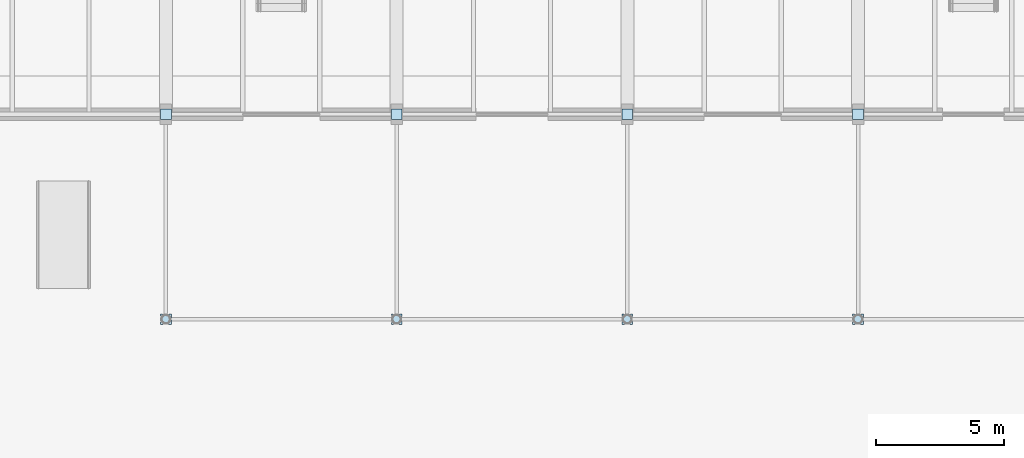
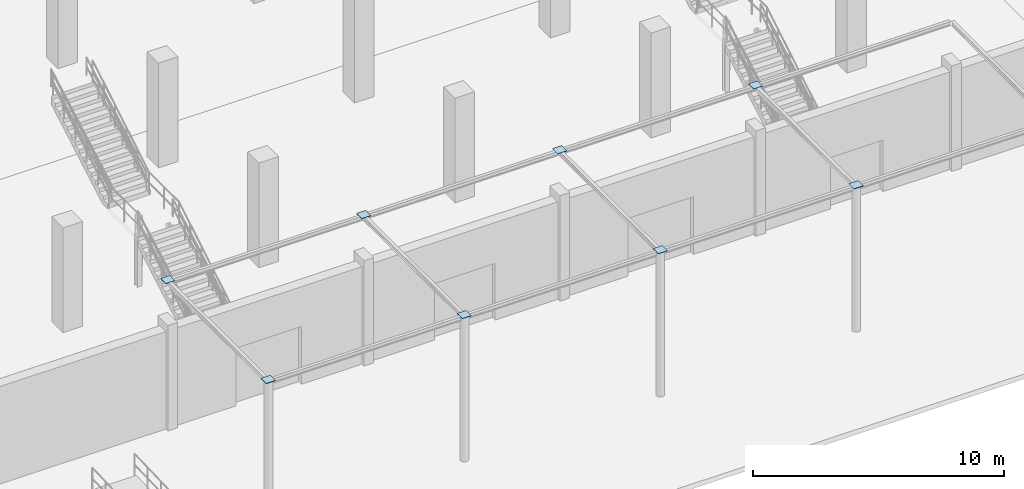
# One storey, part 79 of 103: 8 plates.
"""IFC4 building model written with IfcOpenShell, lengths in metres."""

from ifc_helpers import new_model, si_unit, direction, frame, origin, origin_2d, place, context, subcontext, project, spatial, rectangle, extrude, material, layer, layer_set, type_object, element, save


model = new_model("IFC4")

# Units and contexts
model_context = context("Model", 3, precision=1e-05, world=origin(), true_north=direction((0.0, 1.0)))
body_context = subcontext(model_context, "Body", "Model", "MODEL_VIEW")
ifc_project = project(units=[si_unit("LENGTHUNIT", "METRE"), si_unit("AREAUNIT", "SQUARE_METRE"), si_unit("VOLUMEUNIT", "CUBIC_METRE"), si_unit("PLANEANGLEUNIT", "RADIAN"), si_unit("MASSUNIT", "GRAM", prefix="KILO")], contexts=[model_context])

# Site, building, storey
site_placement = place(None, origin())
site = spatial("IfcSite", under=ifc_project, at=site_placement, CompositionType="ELEMENT")
building_placement = place(site_placement, origin())
building = spatial("IfcBuilding", under=site, at=building_placement, Name="Marnock Terrace Opera House", CompositionType="ELEMENT")
storey_placement = place(building_placement, origin())
storey = spatial("IfcBuildingStorey", under=building, at=storey_placement, Name="L00", CompositionType="ELEMENT", Elevation=0.0)

# Plates
ifc_material = material(Name="Steel Grade 350 (AS/NZS 3679.1)", Category="steel")
ifc_layer = layer(ifc_material, 0.02001953125)
ifc_layer_set = layer_set([ifc_layer], Name="Steel Grade 350 (AS/NZS 3679.1)")
plate_type = type_object("IfcPlateType", Name="PLT-ENDCAP-20", PredefinedType="SHEET", material=ifc_layer_set)
for number, where, z_axis, x_axis, name in (
    (1, (64.0, 0.0, 7.02001953125), (0.0, 0.0, 1.0), (1.0, 0.0, 0.0), "Canopy CHS column end-cap plate"),
    (2, (73.0, 0.0, 7.02001953125), (0.0, 0.0, 1.0), (1.0, 0.0, 0.0), "Canopy CHS column end-cap plate"),
    (3, (82.0, 0.0, 7.02001953125), (0.0, 0.0, 1.0), (1.0, 0.0, 0.0), "Canopy CHS column end-cap plate"),
    (4, (91.0, 0.0, 7.02001953125), (0.0, 0.0, 1.0), (1.0, 0.0, 0.0), "Canopy CHS column end-cap plate"),
    (5, (64.0, 8.0, 7.02001953125), (0.0, 0.0, 1.0), (1.0, 0.0, 0.0), "Canopy CHS column end-cap plate"),
    (6, (73.0, 8.0, 7.02001953125), (0.0, 0.0, 1.0), (1.0, 0.0, 0.0), "Canopy CHS column end-cap plate"),
    (7, (82.0, 8.0, 7.02001953125), (0.0, 0.0, 1.0), (1.0, 0.0, 0.0), "Canopy CHS column end-cap plate"),
    (8, (91.0, 8.0, 7.02001953125), (0.0, 0.0, 1.0), (1.0, 0.0, 0.0), "Canopy CHS column end-cap plate"),
):
    element("IfcPlate", number, at=place(storey_placement, frame(where, z_axis=z_axis, x_axis=x_axis)), inside=storey, type_object=plate_type, Name=name, PredefinedType="SHEET", context=body_context, shape_type="SweptSolid", body=[
        extrude(rectangle(XDim=0.419921875, YDim=0.419921875, at=origin_2d()), origin(), (0.0, 0.0, 1.0), 0.02001953125),
    ])

save(model, "model.ifc")
